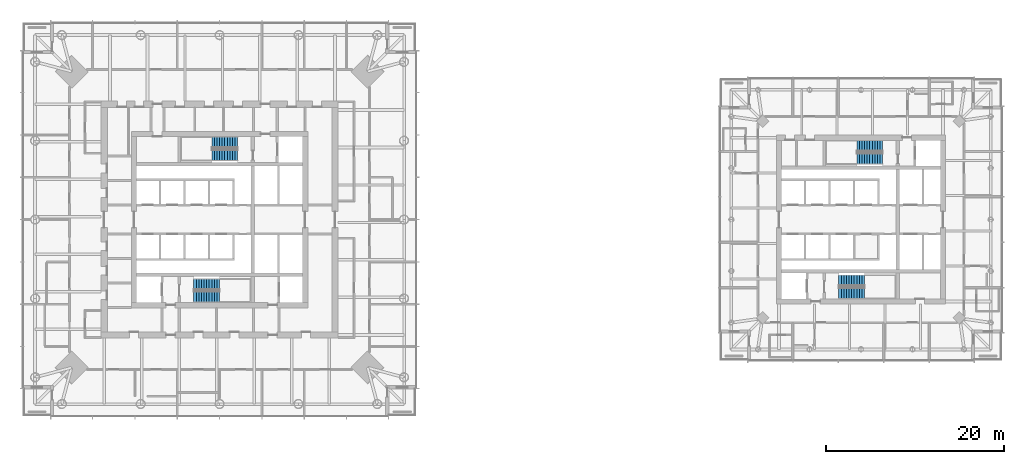
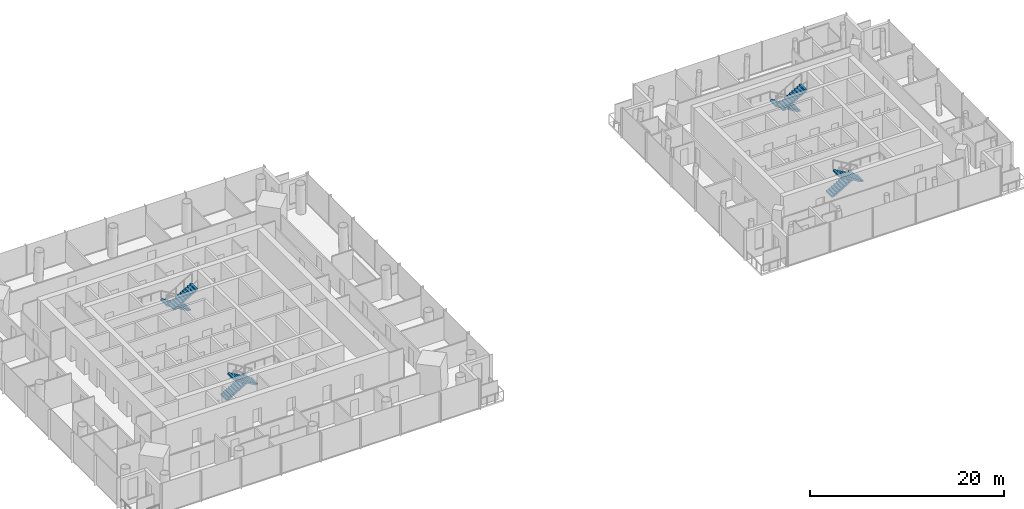
# One storey, part 16 of 18: 8 stair flights, 4 elements without a shape of their own.
"""IFC4 building model written with IfcOpenShell, lengths in metres."""

from ifc_helpers import new_model, si_unit, direction, frame, origin, place, context, subcontext, project, spatial, polyline, outline, extrude, material, type_object, element, aggregate, save


model = new_model("IFC4")

# Units and contexts
model_context = context("Model", 3, precision=1e-05, world=origin(), true_north=direction((0.0, 1.0)))
body_context = subcontext(model_context, "Body", "Model", "MODEL_VIEW")
ifc_project = project(units=[si_unit("LENGTHUNIT", "METRE"), si_unit("AREAUNIT", "SQUARE_METRE"), si_unit("VOLUMEUNIT", "CUBIC_METRE"), si_unit("PLANEANGLEUNIT", "RADIAN"), si_unit("MASSUNIT", "GRAM", prefix="KILO")], contexts=[model_context])

# Site, building, storey
site_placement = place(None, origin())
site = spatial("IfcSite", under=ifc_project, at=site_placement, CompositionType="ELEMENT")
building_placement = place(site_placement, origin())
building = spatial("IfcBuilding", under=site, at=building_placement, Name="Ostroluk Exchange", CompositionType="ELEMENT")
storey_placement = place(building_placement, frame((0.0, 0.0, 123.60009765625)))
storey = spatial("IfcBuildingStorey", under=building, at=storey_placement, Name="L31", CompositionType="ELEMENT", Elevation=123.60009765625)

# Stair, stair flights
ifc_material_1 = material(Name="Concrete C30/37", Category="concrete")
stair_type = type_object("IfcStairType", Name="Exit stair half turn 3800", PredefinedType="HALF_TURN_STAIR", material=ifc_material_1)
stair_1_placement = place(storey_placement, origin())
stair_1 = element("IfcStair", 1, at=stair_1_placement, inside=storey, type_object=stair_type, Name="Stair T1-S1 L31", PredefinedType="HALF_TURN_STAIR")
ifc_material_2 = material(Name="Concrete C30/37", Category="concrete")
stair_flight_type = type_object("IfcStairFlightType", Name="Stair flight 11 risers 172.7 x 290", PredefinedType="STRAIGHT", material=ifc_material_2)
stair_flight_1_placement = place(storey_placement, frame((42.10009765625, 38.77490234375, 0.0), z_axis=(0.0, 0.0, 1.0), x_axis=(1.0, 0.0, 0.0)))
stair_flight_1 = element("IfcStairFlight", 2, at=stair_flight_1_placement, type_object=stair_flight_type, Name="T1-S1 flight 1", NumberOfRisers=11, NumberOfTreads=10, PredefinedType="STRAIGHT", RiserHeight=0.172727273, TreadLength=0.29, context=body_context, shape_type="SweptSolid", body=[
    extrude(outline(polyline([(0.0, 0.0), (0.0, 0.172607421875), (0.2900390625, 0.172607421875), (0.2900390625, 0.345458984375), (0.580078125, 0.345458984375), (0.580078125, 0.51806640625), (0.8701171875, 0.51806640625), (0.8701171875, 0.69091796875), (1.159912109375, 0.69091796875), (1.159912109375, 0.863525390625), (1.449951171875, 0.863525390625), (1.449951171875, 1.036376953125), (1.739990234375, 1.036376953125), (1.739990234375, 1.208984375), (2.030029296875, 1.208984375), (2.030029296875, 1.3818359375), (2.320068359375, 1.3818359375), (2.320068359375, 1.554443359375), (2.610107421875, 1.554443359375), (2.610107421875, 1.727294921875), (2.89990234375, 1.727294921875), (2.89990234375, 1.89990234375), (2.89990234375, 1.552734375), (0.29296875, 0.0), (0.0, 0.0)])), frame((0.0, 0.625, 0.0), z_axis=(0.0, -1.0, 0.0), x_axis=(1.0, 0.0, 0.0)), (0.0, 0.0, 1.0), 1.25),
])
stair_flight_2_placement = place(storey_placement, frame((45.0, 37.324951171875, 1.89990234375), z_axis=(0.0, 0.0, 1.0), x_axis=(-1.0, 0.0, 0.0)))
stair_flight_2 = element("IfcStairFlight", 3, at=stair_flight_2_placement, type_object=stair_flight_type, Name="T1-S1 flight 2", NumberOfRisers=11, NumberOfTreads=10, PredefinedType="STRAIGHT", RiserHeight=0.172727273, TreadLength=0.29, context=body_context, shape_type="SweptSolid", body=[
    extrude(outline(polyline([(0.0, 0.0), (0.0, 0.172607421875), (0.2900390625, 0.172607421875), (0.2900390625, 0.345458984375), (0.580078125, 0.345458984375), (0.580078125, 0.51806640625), (0.8701171875, 0.51806640625), (0.8701171875, 0.69091796875), (1.159912109375, 0.69091796875), (1.159912109375, 0.863525390625), (1.449951171875, 0.863525390625), (1.449951171875, 1.036376953125), (1.739990234375, 1.036376953125), (1.739990234375, 1.208984375), (2.030029296875, 1.208984375), (2.030029296875, 1.3818359375), (2.320068359375, 1.3818359375), (2.320068359375, 1.554443359375), (2.610107421875, 1.554443359375), (2.610107421875, 1.727294921875), (2.89990234375, 1.727294921875), (2.89990234375, 1.89990234375), (2.89990234375, 1.552734375), (0.29296875, 0.0), (0.0, 0.0)])), frame((0.0, 0.625, 0.0), z_axis=(0.0, -1.0, 0.0), x_axis=(1.0, 0.0, 0.0)), (0.0, 0.0, 1.0), 1.25),
])
aggregate(stair_1, [stair_flight_1, stair_flight_2])

stair_2_placement = place(storey_placement, origin())
stair_2 = element("IfcStair", 4, at=stair_2_placement, inside=storey, type_object=stair_type, Name="Stair T1-S2 L31", PredefinedType="HALF_TURN_STAIR")
stair_flight_3_placement = place(storey_placement, frame((47.030029296875, 54.675048828125, 0.0), z_axis=(0.0, 0.0, 1.0), x_axis=(-1.0, 0.0, 0.0)))
stair_flight_3 = element("IfcStairFlight", 5, at=stair_flight_3_placement, type_object=stair_flight_type, Name="T1-S2 flight 1", NumberOfRisers=11, NumberOfTreads=10, PredefinedType="STRAIGHT", RiserHeight=0.172727273, TreadLength=0.29, context=body_context, shape_type="SweptSolid", body=[
    extrude(outline(polyline([(0.0, 0.0), (0.0, 0.172607421875), (0.2900390625, 0.172607421875), (0.2900390625, 0.345458984375), (0.580078125, 0.345458984375), (0.580078125, 0.51806640625), (0.8701171875, 0.51806640625), (0.8701171875, 0.69091796875), (1.159912109375, 0.69091796875), (1.159912109375, 0.863525390625), (1.449951171875, 0.863525390625), (1.449951171875, 1.036376953125), (1.739990234375, 1.036376953125), (1.739990234375, 1.208984375), (2.030029296875, 1.208984375), (2.030029296875, 1.3818359375), (2.320068359375, 1.3818359375), (2.320068359375, 1.554443359375), (2.610107421875, 1.554443359375), (2.610107421875, 1.727294921875), (2.89990234375, 1.727294921875), (2.89990234375, 1.89990234375), (2.89990234375, 1.552734375), (0.29296875, 0.0), (0.0, 0.0)])), frame((0.0, 0.625, 0.0), z_axis=(0.0, -1.0, 0.0), x_axis=(1.0, 0.0, 0.0)), (0.0, 0.0, 1.0), 1.25),
])
stair_flight_4_placement = place(storey_placement, frame((44.1298828125, 53.22509765625, 1.89990234375), z_axis=(0.0, 0.0, 1.0), x_axis=(1.0, 0.0, 0.0)))
stair_flight_4 = element("IfcStairFlight", 6, at=stair_flight_4_placement, type_object=stair_flight_type, Name="T1-S2 flight 2", NumberOfRisers=11, NumberOfTreads=10, PredefinedType="STRAIGHT", RiserHeight=0.172727273, TreadLength=0.29, context=body_context, shape_type="SweptSolid", body=[
    extrude(outline(polyline([(0.0, 0.0), (0.0, 0.172607421875), (0.2900390625, 0.172607421875), (0.2900390625, 0.345458984375), (0.580078125, 0.345458984375), (0.580078125, 0.51806640625), (0.8701171875, 0.51806640625), (0.8701171875, 0.69091796875), (1.159912109375, 0.69091796875), (1.159912109375, 0.863525390625), (1.449951171875, 0.863525390625), (1.449951171875, 1.036376953125), (1.739990234375, 1.036376953125), (1.739990234375, 1.208984375), (2.030029296875, 1.208984375), (2.030029296875, 1.3818359375), (2.320068359375, 1.3818359375), (2.320068359375, 1.554443359375), (2.610107421875, 1.554443359375), (2.610107421875, 1.727294921875), (2.89990234375, 1.727294921875), (2.89990234375, 1.89990234375), (2.89990234375, 1.552734375), (0.29296875, 0.0), (0.0, 0.0)])), frame((0.0, 0.625, 0.0), z_axis=(0.0, -1.0, 0.0), x_axis=(1.0, 0.0, 0.0)), (0.0, 0.0, 1.0), 1.25),
])
aggregate(stair_2, [stair_flight_3, stair_flight_4])

stair_3_placement = place(storey_placement, origin())
stair_3 = element("IfcStair", 7, at=stair_3_placement, inside=storey, type_object=stair_type, Name="Stair T2-S1 L31", PredefinedType="HALF_TURN_STAIR")
stair_flight_5_placement = place(storey_placement, frame((114.5, 39.175048828125, 0.0), z_axis=(0.0, 0.0, 1.0), x_axis=(1.0, 0.0, 0.0)))
stair_flight_5 = element("IfcStairFlight", 8, at=stair_flight_5_placement, type_object=stair_flight_type, Name="T2-S1 flight 1", NumberOfRisers=11, NumberOfTreads=10, PredefinedType="STRAIGHT", RiserHeight=0.172727273, TreadLength=0.29, context=body_context, shape_type="SweptSolid", body=[
    extrude(outline(polyline([(0.0, 0.0), (0.0, 0.172607421875), (0.2900390625, 0.172607421875), (0.2900390625, 0.345458984375), (0.580078125, 0.345458984375), (0.580078125, 0.51806640625), (0.8701171875, 0.51806640625), (0.8701171875, 0.69091796875), (1.159912109375, 0.69091796875), (1.159912109375, 0.863525390625), (1.449951171875, 0.863525390625), (1.449951171875, 1.036376953125), (1.739990234375, 1.036376953125), (1.739990234375, 1.208984375), (2.030029296875, 1.208984375), (2.030029296875, 1.3818359375), (2.320068359375, 1.3818359375), (2.320068359375, 1.554443359375), (2.610107421875, 1.554443359375), (2.610107421875, 1.727294921875), (2.89990234375, 1.727294921875), (2.89990234375, 1.89990234375), (2.89990234375, 1.552734375), (0.29296875, 0.0), (0.0, 0.0)])), frame((0.0, 0.625, 0.0), z_axis=(0.0, -1.0, 0.0), x_axis=(1.0, 0.0, 0.0)), (0.0, 0.0, 1.0), 1.25),
])
stair_flight_6_placement = place(storey_placement, frame((117.39990234375, 37.72509765625, 1.89990234375), z_axis=(0.0, 0.0, 1.0), x_axis=(-1.0, 0.0, 0.0)))
stair_flight_6 = element("IfcStairFlight", 9, at=stair_flight_6_placement, type_object=stair_flight_type, Name="T2-S1 flight 2", NumberOfRisers=11, NumberOfTreads=10, PredefinedType="STRAIGHT", RiserHeight=0.172727273, TreadLength=0.29, context=body_context, shape_type="SweptSolid", body=[
    extrude(outline(polyline([(0.0, 0.0), (0.0, 0.172607421875), (0.2900390625, 0.172607421875), (0.2900390625, 0.345458984375), (0.580078125, 0.345458984375), (0.580078125, 0.51806640625), (0.8701171875, 0.51806640625), (0.8701171875, 0.69091796875), (1.159912109375, 0.69091796875), (1.159912109375, 0.863525390625), (1.449951171875, 0.863525390625), (1.449951171875, 1.036376953125), (1.739990234375, 1.036376953125), (1.739990234375, 1.208984375), (2.030029296875, 1.208984375), (2.030029296875, 1.3818359375), (2.320068359375, 1.3818359375), (2.320068359375, 1.554443359375), (2.610107421875, 1.554443359375), (2.610107421875, 1.727294921875), (2.89990234375, 1.727294921875), (2.89990234375, 1.89990234375), (2.89990234375, 1.552734375), (0.29296875, 0.0), (0.0, 0.0)])), frame((0.0, 0.625, 0.0), z_axis=(0.0, -1.0, 0.0), x_axis=(1.0, 0.0, 0.0)), (0.0, 0.0, 1.0), 1.25),
])
aggregate(stair_3, [stair_flight_5, stair_flight_6])

stair_4_placement = place(storey_placement, origin())
stair_4 = element("IfcStair", 10, at=stair_4_placement, inside=storey, type_object=stair_type, Name="Stair T2-S2 L31", PredefinedType="HALF_TURN_STAIR")
stair_flight_7_placement = place(storey_placement, frame((119.429931640625, 54.27490234375, 0.0), z_axis=(0.0, 0.0, 1.0), x_axis=(-1.0, 0.0, 0.0)))
stair_flight_7 = element("IfcStairFlight", 11, at=stair_flight_7_placement, type_object=stair_flight_type, Name="T2-S2 flight 1", NumberOfRisers=11, NumberOfTreads=10, PredefinedType="STRAIGHT", RiserHeight=0.172727273, TreadLength=0.29, context=body_context, shape_type="SweptSolid", body=[
    extrude(outline(polyline([(0.0, 0.0), (0.0, 0.172607421875), (0.2900390625, 0.172607421875), (0.2900390625, 0.345458984375), (0.580078125, 0.345458984375), (0.580078125, 0.51806640625), (0.8701171875, 0.51806640625), (0.8701171875, 0.69091796875), (1.159912109375, 0.69091796875), (1.159912109375, 0.863525390625), (1.449951171875, 0.863525390625), (1.449951171875, 1.036376953125), (1.739990234375, 1.036376953125), (1.739990234375, 1.208984375), (2.030029296875, 1.208984375), (2.030029296875, 1.3818359375), (2.320068359375, 1.3818359375), (2.320068359375, 1.554443359375), (2.610107421875, 1.554443359375), (2.610107421875, 1.727294921875), (2.89990234375, 1.727294921875), (2.89990234375, 1.89990234375), (2.89990234375, 1.552734375), (0.29296875, 0.0), (0.0, 0.0)])), frame((0.0, 0.625, 0.0), z_axis=(0.0, -1.0, 0.0), x_axis=(1.0, 0.0, 0.0)), (0.0, 0.0, 1.0), 1.25),
])
stair_flight_8_placement = place(storey_placement, frame((116.530029296875, 52.824951171875, 1.89990234375), z_axis=(0.0, 0.0, 1.0), x_axis=(1.0, 0.0, 0.0)))
stair_flight_8 = element("IfcStairFlight", 12, at=stair_flight_8_placement, type_object=stair_flight_type, Name="T2-S2 flight 2", NumberOfRisers=11, NumberOfTreads=10, PredefinedType="STRAIGHT", RiserHeight=0.172727273, TreadLength=0.29, context=body_context, shape_type="SweptSolid", body=[
    extrude(outline(polyline([(0.0, 0.0), (0.0, 0.172607421875), (0.2900390625, 0.172607421875), (0.2900390625, 0.345458984375), (0.580078125, 0.345458984375), (0.580078125, 0.51806640625), (0.8701171875, 0.51806640625), (0.8701171875, 0.69091796875), (1.159912109375, 0.69091796875), (1.159912109375, 0.863525390625), (1.449951171875, 0.863525390625), (1.449951171875, 1.036376953125), (1.739990234375, 1.036376953125), (1.739990234375, 1.208984375), (2.030029296875, 1.208984375), (2.030029296875, 1.3818359375), (2.320068359375, 1.3818359375), (2.320068359375, 1.554443359375), (2.610107421875, 1.554443359375), (2.610107421875, 1.727294921875), (2.89990234375, 1.727294921875), (2.89990234375, 1.89990234375), (2.89990234375, 1.552734375), (0.29296875, 0.0), (0.0, 0.0)])), frame((0.0, 0.625, 0.0), z_axis=(0.0, -1.0, 0.0), x_axis=(1.0, 0.0, 0.0)), (0.0, 0.0, 1.0), 1.25),
])
aggregate(stair_4, [stair_flight_7, stair_flight_8])

save(model, "model.ifc")
